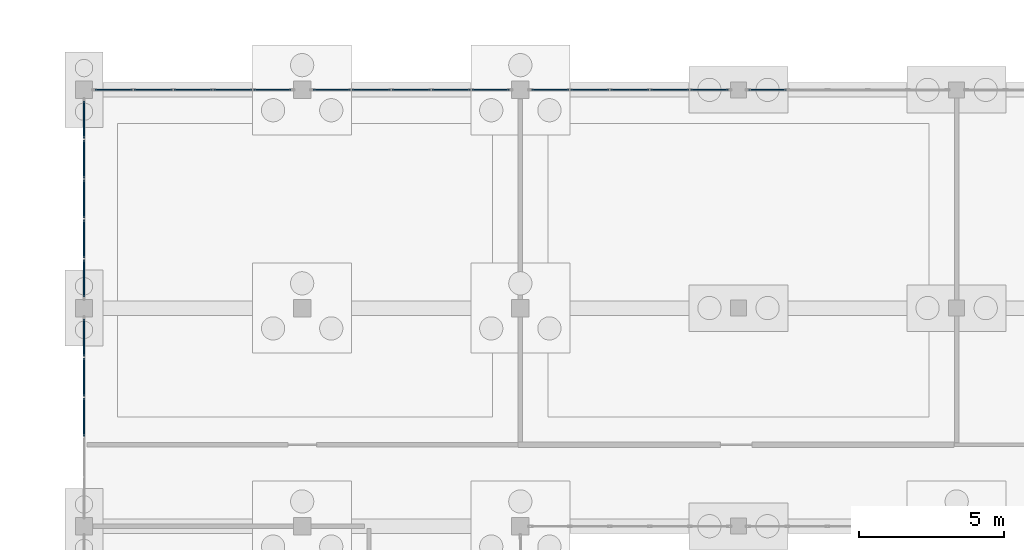
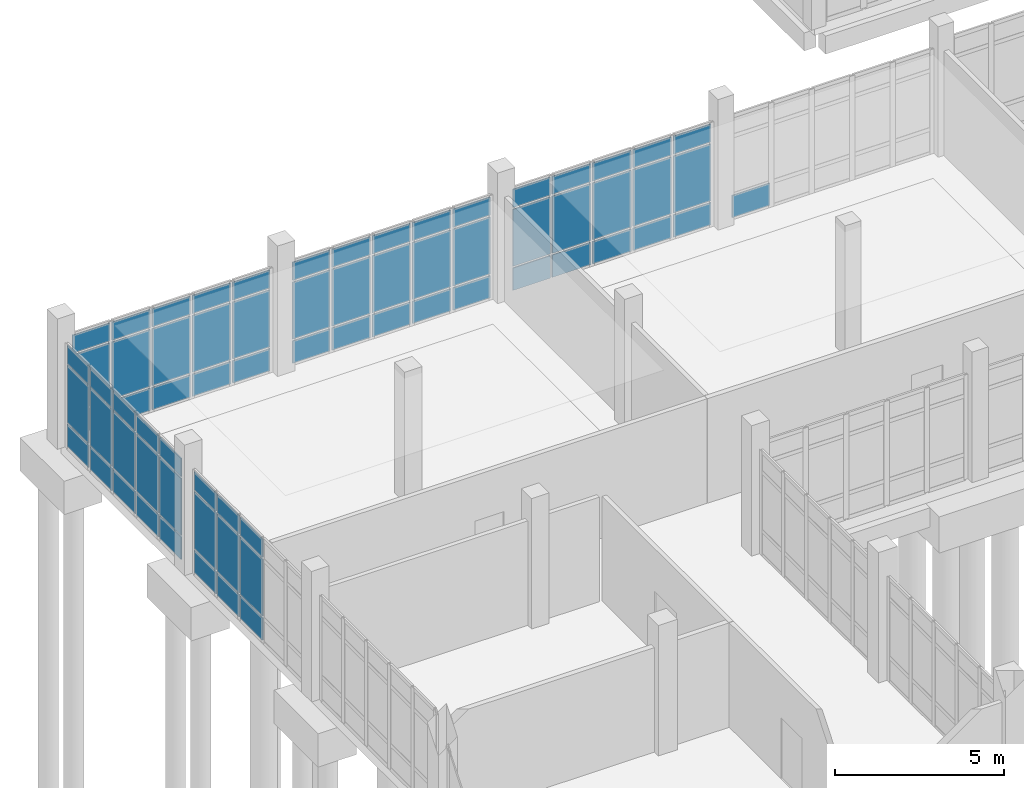
# One storey, part 133 of 173: 70 plates, 6 elements without a shape of their own.
"""IFC4 building model written with IfcOpenShell, lengths in metres."""

import ifcopenshell
import ifcopenshell.guid

model = None  # the IFC model being written
_history = None  # IfcOwnerHistory: only IFC2X3 demands one
_inside = {}  # id of a spatial element -> (the spatial element, [elements in it])
_under = {}  # id of a project, library or spatial element -> (it, [spatial elements below it])
_declared = {}  # id of a project -> (the project, [libraries it declares])
_typed = {}  # id of a type object -> (the type object, [elements of that type])
_made_of = {}  # id of a material, layer set ... -> (it, [elements and type objects made of it])


def new_model(schema):
    """Start an empty IFC model of exactly this schema.

    Asked for "IFC4X3", IfcOpenShell would pick the latest addendum, in which some entities
    have other attributes; the version numbers below select the first issue.
    IFC2X3 requires an IfcOwnerHistory on every rooted entity: one is made here for all.
    """
    global model, _history
    if schema == "IFC4X3":
        model = ifcopenshell.file(schema_version=(4, 3, 0, 0))
    else:
        model = ifcopenshell.file(schema=schema)
    _inside.clear()
    _under.clear()
    _declared.clear()
    _typed.clear()
    _made_of.clear()
    _history = None
    if model.schema == "IFC2X3":
        org = make("IfcOrganization", Name="unknown")
        user = make(
            "IfcPersonAndOrganization",
            ThePerson=make("IfcPerson", FamilyName="unknown"),
            TheOrganization=org,
        )
        app = make(
            "IfcApplication",
            ApplicationDeveloper=org,
            Version="unknown",
            ApplicationFullName="unknown",
            ApplicationIdentifier="unknown",
        )
        _history = make(
            "IfcOwnerHistory",
            OwningUser=user,
            OwningApplication=app,
            ChangeAction="ADDED",
            CreationDate=0,
        )
    return model


def make(cls, **values):
    """One entity of the class cls with the attributes given. An attribute that is None is left unset."""
    return model.create_entity(
        cls, **{name: value for name, value in values.items() if value is not None}
    )


def rooted(cls, **values):
    """An entity with a GlobalId (a new one), such as an element, a storey or a relation."""
    return make(cls, GlobalId=ifcopenshell.guid.new(), OwnerHistory=_history, **values)


def si_unit(unit_type, name, prefix=None):
    """IfcSIUnit, for example si_unit("LENGTHUNIT", "METRE", prefix="MILLI")."""
    return make("IfcSIUnit", UnitType=unit_type, Prefix=prefix, Name=name)


def assignment(units):
    """IfcUnitAssignment: the units of a project."""
    return None if units is None else make("IfcUnitAssignment", Units=units)


def point(xyz):
    """IfcCartesianPoint."""
    return None if xyz is None else make("IfcCartesianPoint", Coordinates=xyz)


def direction(xyz):
    """IfcDirection."""
    return None if xyz is None else make("IfcDirection", DirectionRatios=xyz)


def frame(location, z_axis=None, x_axis=None):
    """IfcAxis2Placement3D, a coordinate frame: its origin and axes. An axis left out is left unset."""
    return make(
        "IfcAxis2Placement3D",
        Location=point(location),
        Axis=direction(z_axis),
        RefDirection=direction(x_axis),
    )


def frame_2d(location, x_axis=None):
    """IfcAxis2Placement2D, a coordinate frame in the plane: its origin and x axis."""
    return make(
        "IfcAxis2Placement2D", Location=point(location), RefDirection=direction(x_axis)
    )


def origin():
    """The frame at (0, 0, 0) with its axes left unset."""
    return frame((0.0, 0.0, 0.0))


def origin_2d():
    """The frame at (0, 0) in the plane with its x axis left unset."""
    return frame_2d((0.0, 0.0))


def place(relative_to, where):
    """IfcLocalPlacement: puts the frame where relative to a parent placement (None: the world)."""
    return make(
        "IfcLocalPlacement", PlacementRelTo=relative_to, RelativePlacement=where
    )


def context(
    kind, dimensions, precision=None, world=None, true_north=None, identifier=None
):
    """IfcGeometricRepresentationContext, for example the 3D "Model" context."""
    return make(
        "IfcGeometricRepresentationContext",
        ContextIdentifier=identifier,
        ContextType=kind,
        CoordinateSpaceDimension=dimensions,
        Precision=precision,
        WorldCoordinateSystem=world,
        TrueNorth=true_north,
    )


def subcontext(parent, identifier, kind, view, scale=None):
    """IfcGeometricRepresentationSubContext, for example "Body" below "Model"."""
    return make(
        "IfcGeometricRepresentationSubContext",
        ContextIdentifier=identifier,
        ContextType=kind,
        ParentContext=parent,
        TargetScale=scale,
        TargetView=view,
    )


def project(units=None, contexts=None):
    """IfcProject with its units and contexts."""
    return rooted(
        "IfcProject",
        Name="project",
        RepresentationContexts=contexts,
        UnitsInContext=assignment(units),
    )


def spatial(cls, under=None, at=None, **own):
    """A site, building, storey or space (cls), placed at a placement, below another one or the project."""
    s = rooted(cls, ObjectPlacement=at, **own)
    if under is not None:
        _under.setdefault(under.id(), (under, []))[1].append(s)
    return s


def profile(cls, at=None, kind="AREA", **sizes):
    """A parametric profile (cls). Its sizes go by their IFC names, for example OverallWidth=200.0."""
    return make(cls, ProfileType=kind, Position=at, **sizes)


def rectangle(**sizes):
    """IfcRectangleProfileDef."""
    return profile("IfcRectangleProfileDef", **sizes)


def extrude(swept, where, along, depth):
    """IfcExtrudedAreaSolid: the profile swept, set in the frame where, extruded along a direction by depth."""
    return make(
        "IfcExtrudedAreaSolid",
        SweptArea=swept,
        Position=where,
        ExtrudedDirection=direction(along),
        Depth=depth,
    )


def shape(context_of_items, identifier, shape_type, items):
    """IfcShapeRepresentation: the items that make up one representation, for example the "Body"."""
    return make(
        "IfcShapeRepresentation",
        ContextOfItems=context_of_items,
        RepresentationIdentifier=identifier,
        RepresentationType=shape_type,
        Items=items,
    )


def material(Name=None, Category=None):
    """IfcMaterial."""
    return make("IfcMaterial", Name=Name, Category=Category)


def layer(
    of_material, thickness, ventilated=None, Name=None, Category=None, Priority=None
):
    """IfcMaterialLayer: one layer of a wall or slab, of a material (None: an air gap)."""
    return make(
        "IfcMaterialLayer",
        Material=of_material,
        LayerThickness=thickness,
        IsVentilated=ventilated,
        Name=Name,
        Category=Category,
        Priority=Priority,
    )


def layer_set(layers, Name=None):
    """IfcMaterialLayerSet."""
    return make("IfcMaterialLayerSet", MaterialLayers=layers, LayerSetName=Name)


def made_of(thing, what):
    """Note that an element or type object is made of a material, layer set ...; save() writes the relation."""
    if what is not None:
        _made_of.setdefault(what.id(), (what, []))[1].append(thing)
    return thing


def type_object(cls, material=None, **own):
    """A type object (cls), such as IfcWallType, which elements share."""
    return made_of(rooted(cls, **own), material)


def element(
    cls,
    number,
    at=None,
    inside=None,
    cuts=None,
    type_object=None,
    material=None,
    context=None,
    identifier="Body",
    shape_type=None,
    held_by="IfcProductDefinitionShape",
    body=None,
    shapes=None,
    **own,
):
    """One element of the class cls, such as IfcWall. Its Tag is "e" and its number.

    at: its placement. inside: the storey or other place that contains it. cuts: it is an
    opening in that element (IfcRelVoidsElement). A single representation is given by context,
    identifier, shape_type and body (its items); several are given by shapes. held_by: the class
    of the entity that holds the representations. save() writes the other relations.
    """
    e = rooted(cls, Tag="e%d" % number, ObjectPlacement=at, **own)
    if body is not None:
        shapes = [shape(context, identifier, shape_type, body)]
    if shapes is not None:
        e.Representation = make(held_by, Representations=shapes)
    if inside is not None:
        _inside.setdefault(inside.id(), (inside, []))[1].append(e)
    if cuts is not None:
        rooted(
            "IfcRelVoidsElement", RelatingBuildingElement=cuts, RelatedOpeningElement=e
        )
    if type_object is not None:
        _typed.setdefault(type_object.id(), (type_object, []))[1].append(e)
    return made_of(e, material)


def aggregate(whole, parts):
    """IfcRelAggregates: a whole, such as a stair, and the parts it consists of."""
    return rooted("IfcRelAggregates", RelatingObject=whole, RelatedObjects=parts)


def save(model, path):
    """Write the relations noted so far, then the file.

    IfcRelAggregates (storeys below a building ...), IfcRelContainedInSpatialStructure (elements
    in a storey), IfcRelDefinesByType, IfcRelAssociatesMaterial and IfcRelDeclares: one each for
    every whole, place, type object, material and project.
    """
    for whole, parts in _under.values():
        aggregate(whole, parts)
    for where, things in _inside.values():
        rooted(
            "IfcRelContainedInSpatialStructure",
            RelatedElements=things,
            RelatingStructure=where,
        )
    for kind, things in _typed.values():
        rooted("IfcRelDefinesByType", RelatedObjects=things, RelatingType=kind)
    for what, things in _made_of.values():
        rooted("IfcRelAssociatesMaterial", RelatedObjects=things, RelatingMaterial=what)
    for by, libraries in _declared.values():
        rooted("IfcRelDeclares", RelatingContext=by, RelatedDefinitions=libraries)
    model.write(path)


model = new_model("IFC4")

# Units and contexts
model_context = context("Model", 3, precision=1e-05, world=origin(), true_north=direction((0.0, 1.0)))
body_context = subcontext(model_context, "Body", "Model", "MODEL_VIEW")
ifc_project = project(units=[si_unit("LENGTHUNIT", "METRE"), si_unit("AREAUNIT", "SQUARE_METRE"), si_unit("VOLUMEUNIT", "CUBIC_METRE"), si_unit("PLANEANGLEUNIT", "RADIAN"), si_unit("MASSUNIT", "GRAM", prefix="KILO")], contexts=[model_context])

# Site, building, storey
site_placement = place(None, origin())
site = spatial("IfcSite", under=ifc_project, at=site_placement, CompositionType="ELEMENT")
building_placement = place(site_placement, origin())
building = spatial("IfcBuilding", under=site, at=building_placement, Name="Mawjan Specialist Oncology Clinic", CompositionType="ELEMENT")
storey_placement = place(building_placement, origin())
storey = spatial("IfcBuildingStorey", under=building, at=storey_placement, Name="L00", CompositionType="ELEMENT", Elevation=0.0)

# Curtain wall, plates
ifc_material_1 = material(Name="Unitised spectrally selective aluminium curtain wall", Category="aluminium")
ifc_layer_1 = layer(ifc_material_1, 0.179931640625, Name="Unitised spectrally selective aluminium curtain wall", Category="aluminium")
ifc_layer_set_1 = layer_set([ifc_layer_1], Name="Unitised spectrally selective aluminium curtain wall")
curtain_wall_type_1 = type_object("IfcCurtainWallType", Name="CW-05", PredefinedType="NOTDEFINED", material=ifc_layer_set_1)
curtain_wall_1_placement = place(storey_placement, origin())
curtain_wall_1 = element("IfcCurtainWall", 1, at=curtain_wall_1_placement, inside=storey, type_object=curtain_wall_type_1, Name="L00 Unitised Curtain Wall CW-L00-007", PredefinedType="NOTDEFINED")
ifc_material_2 = material(Name="Spectrally selective double low-E glazing", Category="glass")
ifc_layer_2 = layer(ifc_material_2, 0.035888671875, Name="Spectrally selective double low-E glazing", Category="glass")
ifc_layer_set_2 = layer_set([ifc_layer_2], Name="Spectrally selective double low-E glazing")
plate_type = type_object("IfcPlateType", Name="CW-P36", PredefinedType="CURTAIN_PANEL", material=ifc_layer_set_2)
plate_1_placement = place(storey_placement, frame((0.0, 64.550048828125, 0.06494140625), z_axis=(0.0, 0.0, 1.0), x_axis=(0.0, 1.0, 0.0)))
plate_1 = element("IfcPlate", 2, at=plate_1_placement, type_object=plate_type, Name="CW-05 panel 3.1", PredefinedType="CURTAIN_PANEL", context=body_context, shape_type="SweptSolid", body=[
    extrude(rectangle(XDim=1.306884765625, YDim=0.035888671875, at=origin_2d()), origin(), (0.0, 0.0, 1.0), 0.802490234375),
])
plate_2_placement = place(storey_placement, frame((0.0, 64.550048828125, 0.9326171875), z_axis=(0.0, 0.0, 1.0), x_axis=(0.0, 1.0, 0.0)))
plate_2 = element("IfcPlate", 3, at=plate_2_placement, type_object=plate_type, Name="CW-05 panel 3.2", PredefinedType="CURTAIN_PANEL", context=body_context, shape_type="SweptSolid", body=[
    extrude(rectangle(XDim=1.306884765625, YDim=0.035888671875, at=origin_2d()), origin(), (0.0, 0.0, 1.0), 2.050048828125),
])
plate_3_placement = place(storey_placement, frame((0.0, 64.550048828125, 3.04736328125), z_axis=(0.0, 0.0, 1.0), x_axis=(0.0, 1.0, 0.0)))
plate_3 = element("IfcPlate", 4, at=plate_3_placement, type_object=plate_type, Name="CW-05 panel 3.3", PredefinedType="CURTAIN_PANEL", context=body_context, shape_type="SweptSolid", body=[
    extrude(rectangle(XDim=1.306884765625, YDim=0.035888671875, at=origin_2d()), origin(), (0.0, 0.0, 1.0), 0.652587890625),
])
plate_4_placement = place(storey_placement, frame((0.0, 65.922119140625, 0.06494140625), z_axis=(0.0, 0.0, 1.0), x_axis=(0.0, 1.0, 0.0)))
plate_4 = element("IfcPlate", 5, at=plate_4_placement, type_object=plate_type, Name="CW-05 panel 4.1", PredefinedType="CURTAIN_PANEL", context=body_context, shape_type="SweptSolid", body=[
    extrude(rectangle(XDim=1.306884765625, YDim=0.035888671875, at=origin_2d()), origin(), (0.0, 0.0, 1.0), 0.802490234375),
])
plate_5_placement = place(storey_placement, frame((0.0, 65.922119140625, 0.9326171875), z_axis=(0.0, 0.0, 1.0), x_axis=(0.0, 1.0, 0.0)))
plate_5 = element("IfcPlate", 6, at=plate_5_placement, type_object=plate_type, Name="CW-05 panel 4.2", PredefinedType="CURTAIN_PANEL", context=body_context, shape_type="SweptSolid", body=[
    extrude(rectangle(XDim=1.306884765625, YDim=0.035888671875, at=origin_2d()), origin(), (0.0, 0.0, 1.0), 2.050048828125),
])
plate_6_placement = place(storey_placement, frame((0.0, 65.922119140625, 3.04736328125), z_axis=(0.0, 0.0, 1.0), x_axis=(0.0, 1.0, 0.0)))
plate_6 = element("IfcPlate", 7, at=plate_6_placement, type_object=plate_type, Name="CW-05 panel 4.3", PredefinedType="CURTAIN_PANEL", context=body_context, shape_type="SweptSolid", body=[
    extrude(rectangle(XDim=1.306884765625, YDim=0.035888671875, at=origin_2d()), origin(), (0.0, 0.0, 1.0), 0.652587890625),
])
plate_7_placement = place(storey_placement, frame((0.0, 67.27783203125, 0.06494140625), z_axis=(0.0, 0.0, 1.0), x_axis=(0.0, 1.0, 0.0)))
plate_7 = element("IfcPlate", 8, at=plate_7_placement, type_object=plate_type, Name="CW-05 panel 5.1", PredefinedType="CURTAIN_PANEL", context=body_context, shape_type="SweptSolid", body=[
    extrude(rectangle(XDim=1.2744140625, YDim=0.035888671875, at=origin_2d()), origin(), (0.0, 0.0, 1.0), 0.802490234375),
])
plate_8_placement = place(storey_placement, frame((0.0, 67.27783203125, 0.9326171875), z_axis=(0.0, 0.0, 1.0), x_axis=(0.0, 1.0, 0.0)))
plate_8 = element("IfcPlate", 9, at=plate_8_placement, type_object=plate_type, Name="CW-05 panel 5.2", PredefinedType="CURTAIN_PANEL", context=body_context, shape_type="SweptSolid", body=[
    extrude(rectangle(XDim=1.2744140625, YDim=0.035888671875, at=origin_2d()), origin(), (0.0, 0.0, 1.0), 2.050048828125),
])
plate_9_placement = place(storey_placement, frame((0.0, 67.27783203125, 3.04736328125), z_axis=(0.0, 0.0, 1.0), x_axis=(0.0, 1.0, 0.0)))
plate_9 = element("IfcPlate", 10, at=plate_9_placement, type_object=plate_type, Name="CW-05 panel 5.3", PredefinedType="CURTAIN_PANEL", context=body_context, shape_type="SweptSolid", body=[
    extrude(rectangle(XDim=1.2744140625, YDim=0.035888671875, at=origin_2d()), origin(), (0.0, 0.0, 1.0), 0.652587890625),
])
aggregate(curtain_wall_1, [plate_1, plate_2, plate_3, plate_4, plate_5, plate_6, plate_7, plate_8, plate_9])

curtain_wall_2_placement = place(storey_placement, origin())
curtain_wall_2 = element("IfcCurtainWall", 11, at=curtain_wall_2_placement, inside=storey, type_object=curtain_wall_type_1, Name="L00 Unitised Curtain Wall CW-L00-008", PredefinedType="NOTDEFINED")
plate_10_placement = place(storey_placement, frame((0.0, 69.322265625, 0.06494140625), z_axis=(0.0, 0.0, 1.0), x_axis=(0.0, 1.0, 0.0)))
plate_10 = element("IfcPlate", 12, at=plate_10_placement, type_object=plate_type, Name="CW-05 panel 1.1", PredefinedType="CURTAIN_PANEL", context=body_context, shape_type="SweptSolid", body=[
    extrude(rectangle(XDim=1.2744140625, YDim=0.035888671875, at=origin_2d()), origin(), (0.0, 0.0, 1.0), 0.802490234375),
])
plate_11_placement = place(storey_placement, frame((0.0, 69.322265625, 0.9326171875), z_axis=(0.0, 0.0, 1.0), x_axis=(0.0, 1.0, 0.0)))
plate_11 = element("IfcPlate", 13, at=plate_11_placement, type_object=plate_type, Name="CW-05 panel 1.2", PredefinedType="CURTAIN_PANEL", context=body_context, shape_type="SweptSolid", body=[
    extrude(rectangle(XDim=1.2744140625, YDim=0.035888671875, at=origin_2d()), origin(), (0.0, 0.0, 1.0), 2.050048828125),
])
plate_12_placement = place(storey_placement, frame((0.0, 69.322265625, 3.04736328125), z_axis=(0.0, 0.0, 1.0), x_axis=(0.0, 1.0, 0.0)))
plate_12 = element("IfcPlate", 14, at=plate_12_placement, type_object=plate_type, Name="CW-05 panel 1.3", PredefinedType="CURTAIN_PANEL", context=body_context, shape_type="SweptSolid", body=[
    extrude(rectangle(XDim=1.2744140625, YDim=0.035888671875, at=origin_2d()), origin(), (0.0, 0.0, 1.0), 0.652587890625),
])
plate_13_placement = place(storey_placement, frame((0.0, 70.677978515625, 0.06494140625), z_axis=(0.0, 0.0, 1.0), x_axis=(0.0, 1.0, 0.0)))
plate_13 = element("IfcPlate", 15, at=plate_13_placement, type_object=plate_type, Name="CW-05 panel 2.1", PredefinedType="CURTAIN_PANEL", context=body_context, shape_type="SweptSolid", body=[
    extrude(rectangle(XDim=1.306884765625, YDim=0.035888671875, at=origin_2d()), origin(), (0.0, 0.0, 1.0), 0.802490234375),
])
plate_14_placement = place(storey_placement, frame((0.0, 70.677978515625, 0.9326171875), z_axis=(0.0, 0.0, 1.0), x_axis=(0.0, 1.0, 0.0)))
plate_14 = element("IfcPlate", 16, at=plate_14_placement, type_object=plate_type, Name="CW-05 panel 2.2", PredefinedType="CURTAIN_PANEL", context=body_context, shape_type="SweptSolid", body=[
    extrude(rectangle(XDim=1.306884765625, YDim=0.035888671875, at=origin_2d()), origin(), (0.0, 0.0, 1.0), 2.050048828125),
])
plate_15_placement = place(storey_placement, frame((0.0, 70.677978515625, 3.04736328125), z_axis=(0.0, 0.0, 1.0), x_axis=(0.0, 1.0, 0.0)))
plate_15 = element("IfcPlate", 17, at=plate_15_placement, type_object=plate_type, Name="CW-05 panel 2.3", PredefinedType="CURTAIN_PANEL", context=body_context, shape_type="SweptSolid", body=[
    extrude(rectangle(XDim=1.306884765625, YDim=0.035888671875, at=origin_2d()), origin(), (0.0, 0.0, 1.0), 0.652587890625),
])
plate_16_placement = place(storey_placement, frame((0.0, 72.050048828125, 0.06494140625), z_axis=(0.0, 0.0, 1.0), x_axis=(0.0, 1.0, 0.0)))
plate_16 = element("IfcPlate", 18, at=plate_16_placement, type_object=plate_type, Name="CW-05 panel 3.1", PredefinedType="CURTAIN_PANEL", context=body_context, shape_type="SweptSolid", body=[
    extrude(rectangle(XDim=1.306884765625, YDim=0.035888671875, at=origin_2d()), origin(), (0.0, 0.0, 1.0), 0.802490234375),
])
plate_17_placement = place(storey_placement, frame((0.0, 72.050048828125, 0.9326171875), z_axis=(0.0, 0.0, 1.0), x_axis=(0.0, 1.0, 0.0)))
plate_17 = element("IfcPlate", 19, at=plate_17_placement, type_object=plate_type, Name="CW-05 panel 3.2", PredefinedType="CURTAIN_PANEL", context=body_context, shape_type="SweptSolid", body=[
    extrude(rectangle(XDim=1.306884765625, YDim=0.035888671875, at=origin_2d()), origin(), (0.0, 0.0, 1.0), 2.050048828125),
])
plate_18_placement = place(storey_placement, frame((0.0, 72.050048828125, 3.04736328125), z_axis=(0.0, 0.0, 1.0), x_axis=(0.0, 1.0, 0.0)))
plate_18 = element("IfcPlate", 20, at=plate_18_placement, type_object=plate_type, Name="CW-05 panel 3.3", PredefinedType="CURTAIN_PANEL", context=body_context, shape_type="SweptSolid", body=[
    extrude(rectangle(XDim=1.306884765625, YDim=0.035888671875, at=origin_2d()), origin(), (0.0, 0.0, 1.0), 0.652587890625),
])
plate_19_placement = place(storey_placement, frame((0.0, 73.422119140625, 0.06494140625), z_axis=(0.0, 0.0, 1.0), x_axis=(0.0, 1.0, 0.0)))
plate_19 = element("IfcPlate", 21, at=plate_19_placement, type_object=plate_type, Name="CW-05 panel 4.1", PredefinedType="CURTAIN_PANEL", context=body_context, shape_type="SweptSolid", body=[
    extrude(rectangle(XDim=1.306884765625, YDim=0.035888671875, at=origin_2d()), origin(), (0.0, 0.0, 1.0), 0.802490234375),
])
plate_20_placement = place(storey_placement, frame((0.0, 73.422119140625, 0.9326171875), z_axis=(0.0, 0.0, 1.0), x_axis=(0.0, 1.0, 0.0)))
plate_20 = element("IfcPlate", 22, at=plate_20_placement, type_object=plate_type, Name="CW-05 panel 4.2", PredefinedType="CURTAIN_PANEL", context=body_context, shape_type="SweptSolid", body=[
    extrude(rectangle(XDim=1.306884765625, YDim=0.035888671875, at=origin_2d()), origin(), (0.0, 0.0, 1.0), 2.050048828125),
])
plate_21_placement = place(storey_placement, frame((0.0, 73.422119140625, 3.04736328125), z_axis=(0.0, 0.0, 1.0), x_axis=(0.0, 1.0, 0.0)))
plate_21 = element("IfcPlate", 23, at=plate_21_placement, type_object=plate_type, Name="CW-05 panel 4.3", PredefinedType="CURTAIN_PANEL", context=body_context, shape_type="SweptSolid", body=[
    extrude(rectangle(XDim=1.306884765625, YDim=0.035888671875, at=origin_2d()), origin(), (0.0, 0.0, 1.0), 0.652587890625),
])
plate_22_placement = place(storey_placement, frame((0.0, 74.77783203125, 0.06494140625), z_axis=(0.0, 0.0, 1.0), x_axis=(0.0, 1.0, 0.0)))
plate_22 = element("IfcPlate", 24, at=plate_22_placement, type_object=plate_type, Name="CW-05 panel 5.1", PredefinedType="CURTAIN_PANEL", context=body_context, shape_type="SweptSolid", body=[
    extrude(rectangle(XDim=1.2744140625, YDim=0.035888671875, at=origin_2d()), origin(), (0.0, 0.0, 1.0), 0.802490234375),
])
plate_23_placement = place(storey_placement, frame((0.0, 74.77783203125, 0.9326171875), z_axis=(0.0, 0.0, 1.0), x_axis=(0.0, 1.0, 0.0)))
plate_23 = element("IfcPlate", 25, at=plate_23_placement, type_object=plate_type, Name="CW-05 panel 5.2", PredefinedType="CURTAIN_PANEL", context=body_context, shape_type="SweptSolid", body=[
    extrude(rectangle(XDim=1.2744140625, YDim=0.035888671875, at=origin_2d()), origin(), (0.0, 0.0, 1.0), 2.050048828125),
])
plate_24_placement = place(storey_placement, frame((0.0, 74.77783203125, 3.04736328125), z_axis=(0.0, 0.0, 1.0), x_axis=(0.0, 1.0, 0.0)))
plate_24 = element("IfcPlate", 26, at=plate_24_placement, type_object=plate_type, Name="CW-05 panel 5.3", PredefinedType="CURTAIN_PANEL", context=body_context, shape_type="SweptSolid", body=[
    extrude(rectangle(XDim=1.2744140625, YDim=0.035888671875, at=origin_2d()), origin(), (0.0, 0.0, 1.0), 0.652587890625),
])
aggregate(curtain_wall_2, [plate_10, plate_11, plate_12, plate_13, plate_14, plate_15, plate_16, plate_17, plate_18, plate_19, plate_20, plate_21, plate_22, plate_23, plate_24])

curtain_wall_3_placement = place(storey_placement, origin())
curtain_wall_3 = element("IfcCurtainWall", 27, at=curtain_wall_3_placement, inside=storey, type_object=curtain_wall_type_1, Name="L00 Unitised Curtain Wall CW-L00-009", PredefinedType="NOTDEFINED")
plate_25_placement = place(storey_placement, frame((1.022216796875, 75.800048828125, 0.06494140625), z_axis=(0.0, 0.0, 1.0), x_axis=(1.0, 0.0, 0.0)))
plate_25 = element("IfcPlate", 28, at=plate_25_placement, type_object=plate_type, Name="CW-05 panel 1.1", PredefinedType="CURTAIN_PANEL", context=body_context, shape_type="SweptSolid", body=[
    extrude(rectangle(XDim=1.2744140625, YDim=0.035888671875, at=origin_2d()), origin(), (0.0, 0.0, 1.0), 0.802490234375),
])
plate_26_placement = place(storey_placement, frame((1.022216796875, 75.800048828125, 0.9326171875), z_axis=(0.0, 0.0, 1.0), x_axis=(1.0, 0.0, 0.0)))
plate_26 = element("IfcPlate", 29, at=plate_26_placement, type_object=plate_type, Name="CW-05 panel 1.2", PredefinedType="CURTAIN_PANEL", context=body_context, shape_type="SweptSolid", body=[
    extrude(rectangle(XDim=1.2744140625, YDim=0.035888671875, at=origin_2d()), origin(), (0.0, 0.0, 1.0), 2.050048828125),
])
plate_27_placement = place(storey_placement, frame((1.022216796875, 75.800048828125, 3.04736328125), z_axis=(0.0, 0.0, 1.0), x_axis=(1.0, 0.0, 0.0)))
plate_27 = element("IfcPlate", 30, at=plate_27_placement, type_object=plate_type, Name="CW-05 panel 1.3", PredefinedType="CURTAIN_PANEL", context=body_context, shape_type="SweptSolid", body=[
    extrude(rectangle(XDim=1.2744140625, YDim=0.035888671875, at=origin_2d()), origin(), (0.0, 0.0, 1.0), 0.652587890625),
])
plate_28_placement = place(storey_placement, frame((2.3779296875, 75.800048828125, 0.06494140625), z_axis=(0.0, 0.0, 1.0), x_axis=(1.0, 0.0, 0.0)))
plate_28 = element("IfcPlate", 31, at=plate_28_placement, type_object=plate_type, Name="CW-05 panel 2.1", PredefinedType="CURTAIN_PANEL", context=body_context, shape_type="SweptSolid", body=[
    extrude(rectangle(XDim=1.306884765625, YDim=0.035888671875, at=origin_2d()), origin(), (0.0, 0.0, 1.0), 0.802490234375),
])
plate_29_placement = place(storey_placement, frame((2.3779296875, 75.800048828125, 0.9326171875), z_axis=(0.0, 0.0, 1.0), x_axis=(1.0, 0.0, 0.0)))
plate_29 = element("IfcPlate", 32, at=plate_29_placement, type_object=plate_type, Name="CW-05 panel 2.2", PredefinedType="CURTAIN_PANEL", context=body_context, shape_type="SweptSolid", body=[
    extrude(rectangle(XDim=1.306884765625, YDim=0.035888671875, at=origin_2d()), origin(), (0.0, 0.0, 1.0), 2.050048828125),
])
plate_30_placement = place(storey_placement, frame((2.3779296875, 75.800048828125, 3.04736328125), z_axis=(0.0, 0.0, 1.0), x_axis=(1.0, 0.0, 0.0)))
plate_30 = element("IfcPlate", 33, at=plate_30_placement, type_object=plate_type, Name="CW-05 panel 2.3", PredefinedType="CURTAIN_PANEL", context=body_context, shape_type="SweptSolid", body=[
    extrude(rectangle(XDim=1.306884765625, YDim=0.035888671875, at=origin_2d()), origin(), (0.0, 0.0, 1.0), 0.652587890625),
])
plate_31_placement = place(storey_placement, frame((3.75, 75.800048828125, 0.06494140625), z_axis=(0.0, 0.0, 1.0), x_axis=(1.0, 0.0, 0.0)))
plate_31 = element("IfcPlate", 34, at=plate_31_placement, type_object=plate_type, Name="CW-05 panel 3.1", PredefinedType="CURTAIN_PANEL", context=body_context, shape_type="SweptSolid", body=[
    extrude(rectangle(XDim=1.306884765625, YDim=0.035888671875, at=origin_2d()), origin(), (0.0, 0.0, 1.0), 0.802490234375),
])
plate_32_placement = place(storey_placement, frame((3.75, 75.800048828125, 0.9326171875), z_axis=(0.0, 0.0, 1.0), x_axis=(1.0, 0.0, 0.0)))
plate_32 = element("IfcPlate", 35, at=plate_32_placement, type_object=plate_type, Name="CW-05 panel 3.2", PredefinedType="CURTAIN_PANEL", context=body_context, shape_type="SweptSolid", body=[
    extrude(rectangle(XDim=1.306884765625, YDim=0.035888671875, at=origin_2d()), origin(), (0.0, 0.0, 1.0), 2.050048828125),
])
plate_33_placement = place(storey_placement, frame((3.75, 75.800048828125, 3.04736328125), z_axis=(0.0, 0.0, 1.0), x_axis=(1.0, 0.0, 0.0)))
plate_33 = element("IfcPlate", 36, at=plate_33_placement, type_object=plate_type, Name="CW-05 panel 3.3", PredefinedType="CURTAIN_PANEL", context=body_context, shape_type="SweptSolid", body=[
    extrude(rectangle(XDim=1.306884765625, YDim=0.035888671875, at=origin_2d()), origin(), (0.0, 0.0, 1.0), 0.652587890625),
])
plate_34_placement = place(storey_placement, frame((5.1220703125, 75.800048828125, 0.06494140625), z_axis=(0.0, 0.0, 1.0), x_axis=(1.0, 0.0, 0.0)))
plate_34 = element("IfcPlate", 37, at=plate_34_placement, type_object=plate_type, Name="CW-05 panel 4.1", PredefinedType="CURTAIN_PANEL", context=body_context, shape_type="SweptSolid", body=[
    extrude(rectangle(XDim=1.306884765625, YDim=0.035888671875, at=origin_2d()), origin(), (0.0, 0.0, 1.0), 0.802490234375),
])
plate_35_placement = place(storey_placement, frame((5.1220703125, 75.800048828125, 0.9326171875), z_axis=(0.0, 0.0, 1.0), x_axis=(1.0, 0.0, 0.0)))
plate_35 = element("IfcPlate", 38, at=plate_35_placement, type_object=plate_type, Name="CW-05 panel 4.2", PredefinedType="CURTAIN_PANEL", context=body_context, shape_type="SweptSolid", body=[
    extrude(rectangle(XDim=1.306884765625, YDim=0.035888671875, at=origin_2d()), origin(), (0.0, 0.0, 1.0), 2.050048828125),
])
plate_36_placement = place(storey_placement, frame((5.1220703125, 75.800048828125, 3.04736328125), z_axis=(0.0, 0.0, 1.0), x_axis=(1.0, 0.0, 0.0)))
plate_36 = element("IfcPlate", 39, at=plate_36_placement, type_object=plate_type, Name="CW-05 panel 4.3", PredefinedType="CURTAIN_PANEL", context=body_context, shape_type="SweptSolid", body=[
    extrude(rectangle(XDim=1.306884765625, YDim=0.035888671875, at=origin_2d()), origin(), (0.0, 0.0, 1.0), 0.652587890625),
])
plate_37_placement = place(storey_placement, frame((6.477783203125, 75.800048828125, 0.06494140625), z_axis=(0.0, 0.0, 1.0), x_axis=(1.0, 0.0, 0.0)))
plate_37 = element("IfcPlate", 40, at=plate_37_placement, type_object=plate_type, Name="CW-05 panel 5.1", PredefinedType="CURTAIN_PANEL", context=body_context, shape_type="SweptSolid", body=[
    extrude(rectangle(XDim=1.2744140625, YDim=0.035888671875, at=origin_2d()), origin(), (0.0, 0.0, 1.0), 0.802490234375),
])
plate_38_placement = place(storey_placement, frame((6.477783203125, 75.800048828125, 0.9326171875), z_axis=(0.0, 0.0, 1.0), x_axis=(1.0, 0.0, 0.0)))
plate_38 = element("IfcPlate", 41, at=plate_38_placement, type_object=plate_type, Name="CW-05 panel 5.2", PredefinedType="CURTAIN_PANEL", context=body_context, shape_type="SweptSolid", body=[
    extrude(rectangle(XDim=1.2744140625, YDim=0.035888671875, at=origin_2d()), origin(), (0.0, 0.0, 1.0), 2.050048828125),
])
plate_39_placement = place(storey_placement, frame((6.477783203125, 75.800048828125, 3.04736328125), z_axis=(0.0, 0.0, 1.0), x_axis=(1.0, 0.0, 0.0)))
plate_39 = element("IfcPlate", 42, at=plate_39_placement, type_object=plate_type, Name="CW-05 panel 5.3", PredefinedType="CURTAIN_PANEL", context=body_context, shape_type="SweptSolid", body=[
    extrude(rectangle(XDim=1.2744140625, YDim=0.035888671875, at=origin_2d()), origin(), (0.0, 0.0, 1.0), 0.652587890625),
])
aggregate(curtain_wall_3, [plate_25, plate_26, plate_27, plate_28, plate_29, plate_30, plate_31, plate_32, plate_33, plate_34, plate_35, plate_36, plate_37, plate_38, plate_39])

curtain_wall_4_placement = place(storey_placement, origin())
curtain_wall_4 = element("IfcCurtainWall", 43, at=curtain_wall_4_placement, inside=storey, type_object=curtain_wall_type_1, Name="L00 Unitised Curtain Wall CW-L00-010", PredefinedType="NOTDEFINED")
plate_40_placement = place(storey_placement, frame((8.522216796875, 75.800048828125, 0.06494140625), z_axis=(0.0, 0.0, 1.0), x_axis=(1.0, 0.0, 0.0)))
plate_40 = element("IfcPlate", 44, at=plate_40_placement, type_object=plate_type, Name="CW-05 panel 1.1", PredefinedType="CURTAIN_PANEL", context=body_context, shape_type="SweptSolid", body=[
    extrude(rectangle(XDim=1.2744140625, YDim=0.035888671875, at=origin_2d()), origin(), (0.0, 0.0, 1.0), 0.802490234375),
])
plate_41_placement = place(storey_placement, frame((8.522216796875, 75.800048828125, 0.9326171875), z_axis=(0.0, 0.0, 1.0), x_axis=(1.0, 0.0, 0.0)))
plate_41 = element("IfcPlate", 45, at=plate_41_placement, type_object=plate_type, Name="CW-05 panel 1.2", PredefinedType="CURTAIN_PANEL", context=body_context, shape_type="SweptSolid", body=[
    extrude(rectangle(XDim=1.2744140625, YDim=0.035888671875, at=origin_2d()), origin(), (0.0, 0.0, 1.0), 2.050048828125),
])
plate_42_placement = place(storey_placement, frame((8.522216796875, 75.800048828125, 3.04736328125), z_axis=(0.0, 0.0, 1.0), x_axis=(1.0, 0.0, 0.0)))
plate_42 = element("IfcPlate", 46, at=plate_42_placement, type_object=plate_type, Name="CW-05 panel 1.3", PredefinedType="CURTAIN_PANEL", context=body_context, shape_type="SweptSolid", body=[
    extrude(rectangle(XDim=1.2744140625, YDim=0.035888671875, at=origin_2d()), origin(), (0.0, 0.0, 1.0), 0.652587890625),
])
plate_43_placement = place(storey_placement, frame((9.8779296875, 75.800048828125, 0.06494140625), z_axis=(0.0, 0.0, 1.0), x_axis=(1.0, 0.0, 0.0)))
plate_43 = element("IfcPlate", 47, at=plate_43_placement, type_object=plate_type, Name="CW-05 panel 2.1", PredefinedType="CURTAIN_PANEL", context=body_context, shape_type="SweptSolid", body=[
    extrude(rectangle(XDim=1.306884765625, YDim=0.035888671875, at=origin_2d()), origin(), (0.0, 0.0, 1.0), 0.802490234375),
])
plate_44_placement = place(storey_placement, frame((9.8779296875, 75.800048828125, 0.9326171875), z_axis=(0.0, 0.0, 1.0), x_axis=(1.0, 0.0, 0.0)))
plate_44 = element("IfcPlate", 48, at=plate_44_placement, type_object=plate_type, Name="CW-05 panel 2.2", PredefinedType="CURTAIN_PANEL", context=body_context, shape_type="SweptSolid", body=[
    extrude(rectangle(XDim=1.306884765625, YDim=0.035888671875, at=origin_2d()), origin(), (0.0, 0.0, 1.0), 2.050048828125),
])
plate_45_placement = place(storey_placement, frame((9.8779296875, 75.800048828125, 3.04736328125), z_axis=(0.0, 0.0, 1.0), x_axis=(1.0, 0.0, 0.0)))
plate_45 = element("IfcPlate", 49, at=plate_45_placement, type_object=plate_type, Name="CW-05 panel 2.3", PredefinedType="CURTAIN_PANEL", context=body_context, shape_type="SweptSolid", body=[
    extrude(rectangle(XDim=1.306884765625, YDim=0.035888671875, at=origin_2d()), origin(), (0.0, 0.0, 1.0), 0.652587890625),
])
plate_46_placement = place(storey_placement, frame((11.25, 75.800048828125, 0.06494140625), z_axis=(0.0, 0.0, 1.0), x_axis=(1.0, 0.0, 0.0)))
plate_46 = element("IfcPlate", 50, at=plate_46_placement, type_object=plate_type, Name="CW-05 panel 3.1", PredefinedType="CURTAIN_PANEL", context=body_context, shape_type="SweptSolid", body=[
    extrude(rectangle(XDim=1.306884765625, YDim=0.035888671875, at=origin_2d()), origin(), (0.0, 0.0, 1.0), 0.802490234375),
])
plate_47_placement = place(storey_placement, frame((11.25, 75.800048828125, 0.9326171875), z_axis=(0.0, 0.0, 1.0), x_axis=(1.0, 0.0, 0.0)))
plate_47 = element("IfcPlate", 51, at=plate_47_placement, type_object=plate_type, Name="CW-05 panel 3.2", PredefinedType="CURTAIN_PANEL", context=body_context, shape_type="SweptSolid", body=[
    extrude(rectangle(XDim=1.306884765625, YDim=0.035888671875, at=origin_2d()), origin(), (0.0, 0.0, 1.0), 2.050048828125),
])
plate_48_placement = place(storey_placement, frame((11.25, 75.800048828125, 3.04736328125), z_axis=(0.0, 0.0, 1.0), x_axis=(1.0, 0.0, 0.0)))
plate_48 = element("IfcPlate", 52, at=plate_48_placement, type_object=plate_type, Name="CW-05 panel 3.3", PredefinedType="CURTAIN_PANEL", context=body_context, shape_type="SweptSolid", body=[
    extrude(rectangle(XDim=1.306884765625, YDim=0.035888671875, at=origin_2d()), origin(), (0.0, 0.0, 1.0), 0.652587890625),
])
plate_49_placement = place(storey_placement, frame((12.6220703125, 75.800048828125, 0.06494140625), z_axis=(0.0, 0.0, 1.0), x_axis=(1.0, 0.0, 0.0)))
plate_49 = element("IfcPlate", 53, at=plate_49_placement, type_object=plate_type, Name="CW-05 panel 4.1", PredefinedType="CURTAIN_PANEL", context=body_context, shape_type="SweptSolid", body=[
    extrude(rectangle(XDim=1.306884765625, YDim=0.035888671875, at=origin_2d()), origin(), (0.0, 0.0, 1.0), 0.802490234375),
])
plate_50_placement = place(storey_placement, frame((12.6220703125, 75.800048828125, 0.9326171875), z_axis=(0.0, 0.0, 1.0), x_axis=(1.0, 0.0, 0.0)))
plate_50 = element("IfcPlate", 54, at=plate_50_placement, type_object=plate_type, Name="CW-05 panel 4.2", PredefinedType="CURTAIN_PANEL", context=body_context, shape_type="SweptSolid", body=[
    extrude(rectangle(XDim=1.306884765625, YDim=0.035888671875, at=origin_2d()), origin(), (0.0, 0.0, 1.0), 2.050048828125),
])
plate_51_placement = place(storey_placement, frame((12.6220703125, 75.800048828125, 3.04736328125), z_axis=(0.0, 0.0, 1.0), x_axis=(1.0, 0.0, 0.0)))
plate_51 = element("IfcPlate", 55, at=plate_51_placement, type_object=plate_type, Name="CW-05 panel 4.3", PredefinedType="CURTAIN_PANEL", context=body_context, shape_type="SweptSolid", body=[
    extrude(rectangle(XDim=1.306884765625, YDim=0.035888671875, at=origin_2d()), origin(), (0.0, 0.0, 1.0), 0.652587890625),
])
plate_52_placement = place(storey_placement, frame((13.977783203125, 75.800048828125, 0.06494140625), z_axis=(0.0, 0.0, 1.0), x_axis=(1.0, 0.0, 0.0)))
plate_52 = element("IfcPlate", 56, at=plate_52_placement, type_object=plate_type, Name="CW-05 panel 5.1", PredefinedType="CURTAIN_PANEL", context=body_context, shape_type="SweptSolid", body=[
    extrude(rectangle(XDim=1.2744140625, YDim=0.035888671875, at=origin_2d()), origin(), (0.0, 0.0, 1.0), 0.802490234375),
])
plate_53_placement = place(storey_placement, frame((13.977783203125, 75.800048828125, 0.9326171875), z_axis=(0.0, 0.0, 1.0), x_axis=(1.0, 0.0, 0.0)))
plate_53 = element("IfcPlate", 57, at=plate_53_placement, type_object=plate_type, Name="CW-05 panel 5.2", PredefinedType="CURTAIN_PANEL", context=body_context, shape_type="SweptSolid", body=[
    extrude(rectangle(XDim=1.2744140625, YDim=0.035888671875, at=origin_2d()), origin(), (0.0, 0.0, 1.0), 2.050048828125),
])
plate_54_placement = place(storey_placement, frame((13.977783203125, 75.800048828125, 3.04736328125), z_axis=(0.0, 0.0, 1.0), x_axis=(1.0, 0.0, 0.0)))
plate_54 = element("IfcPlate", 58, at=plate_54_placement, type_object=plate_type, Name="CW-05 panel 5.3", PredefinedType="CURTAIN_PANEL", context=body_context, shape_type="SweptSolid", body=[
    extrude(rectangle(XDim=1.2744140625, YDim=0.035888671875, at=origin_2d()), origin(), (0.0, 0.0, 1.0), 0.652587890625),
])
aggregate(curtain_wall_4, [plate_40, plate_41, plate_42, plate_43, plate_44, plate_45, plate_46, plate_47, plate_48, plate_49, plate_50, plate_51, plate_52, plate_53, plate_54])

ifc_material_3 = material(Name="Unitised spectrally selective aluminium curtain wall", Category="aluminium")
ifc_layer_3 = layer(ifc_material_3, 0.179931640625, Name="Unitised spectrally selective aluminium curtain wall", Category="aluminium")
ifc_layer_set_3 = layer_set([ifc_layer_3], Name="Unitised spectrally selective aluminium curtain wall")
curtain_wall_type_2 = type_object("IfcCurtainWallType", Name="CW-06", PredefinedType="NOTDEFINED", material=ifc_layer_set_3)
curtain_wall_5_placement = place(storey_placement, origin())
curtain_wall_5 = element("IfcCurtainWall", 59, at=curtain_wall_5_placement, inside=storey, type_object=curtain_wall_type_2, Name="L00 Unitised Curtain Wall CW-L00-011", PredefinedType="NOTDEFINED")
plate_55_placement = place(storey_placement, frame((16.024658203125, 75.800048828125, 0.06494140625), z_axis=(0.0, 0.0, 1.0), x_axis=(1.0, 0.0, 0.0)))
plate_55 = element("IfcPlate", 60, at=plate_55_placement, type_object=plate_type, Name="CW-06 panel 1.1", PredefinedType="CURTAIN_PANEL", context=body_context, shape_type="SweptSolid", body=[
    extrude(rectangle(XDim=1.279541015625, YDim=0.035888671875, at=origin_2d()), origin(), (0.0, 0.0, 1.0), 0.802490234375),
])
plate_56_placement = place(storey_placement, frame((16.024658203125, 75.800048828125, 0.9326171875), z_axis=(0.0, 0.0, 1.0), x_axis=(1.0, 0.0, 0.0)))
plate_56 = element("IfcPlate", 61, at=plate_56_placement, type_object=plate_type, Name="CW-06 panel 1.2", PredefinedType="CURTAIN_PANEL", context=body_context, shape_type="SweptSolid", body=[
    extrude(rectangle(XDim=1.279541015625, YDim=0.035888671875, at=origin_2d()), origin(), (0.0, 0.0, 1.0), 2.050048828125),
])
plate_57_placement = place(storey_placement, frame((16.024658203125, 75.800048828125, 3.04736328125), z_axis=(0.0, 0.0, 1.0), x_axis=(1.0, 0.0, 0.0)))
plate_57 = element("IfcPlate", 62, at=plate_57_placement, type_object=plate_type, Name="CW-06 panel 1.3", PredefinedType="CURTAIN_PANEL", context=body_context, shape_type="SweptSolid", body=[
    extrude(rectangle(XDim=1.279541015625, YDim=0.035888671875, at=origin_2d()), origin(), (0.0, 0.0, 1.0), 0.652587890625),
])
plate_58_placement = place(storey_placement, frame((17.385498046875, 75.800048828125, 0.06494140625), z_axis=(0.0, 0.0, 1.0), x_axis=(1.0, 0.0, 0.0)))
plate_58 = element("IfcPlate", 63, at=plate_58_placement, type_object=plate_type, Name="CW-06 panel 2.1", PredefinedType="CURTAIN_PANEL", context=body_context, shape_type="SweptSolid", body=[
    extrude(rectangle(XDim=1.31201171875, YDim=0.035888671875, at=origin_2d()), origin(), (0.0, 0.0, 1.0), 0.802490234375),
])
plate_59_placement = place(storey_placement, frame((17.385498046875, 75.800048828125, 0.9326171875), z_axis=(0.0, 0.0, 1.0), x_axis=(1.0, 0.0, 0.0)))
plate_59 = element("IfcPlate", 64, at=plate_59_placement, type_object=plate_type, Name="CW-06 panel 2.2", PredefinedType="CURTAIN_PANEL", context=body_context, shape_type="SweptSolid", body=[
    extrude(rectangle(XDim=1.31201171875, YDim=0.035888671875, at=origin_2d()), origin(), (0.0, 0.0, 1.0), 2.050048828125),
])
plate_60_placement = place(storey_placement, frame((17.385498046875, 75.800048828125, 3.04736328125), z_axis=(0.0, 0.0, 1.0), x_axis=(1.0, 0.0, 0.0)))
plate_60 = element("IfcPlate", 65, at=plate_60_placement, type_object=plate_type, Name="CW-06 panel 2.3", PredefinedType="CURTAIN_PANEL", context=body_context, shape_type="SweptSolid", body=[
    extrude(rectangle(XDim=1.31201171875, YDim=0.035888671875, at=origin_2d()), origin(), (0.0, 0.0, 1.0), 0.652587890625),
])
plate_61_placement = place(storey_placement, frame((18.762451171875, 75.800048828125, 0.06494140625), z_axis=(0.0, 0.0, 1.0), x_axis=(1.0, 0.0, 0.0)))
plate_61 = element("IfcPlate", 66, at=plate_61_placement, type_object=plate_type, Name="CW-06 panel 3.1", PredefinedType="CURTAIN_PANEL", context=body_context, shape_type="SweptSolid", body=[
    extrude(rectangle(XDim=1.31201171875, YDim=0.035888671875, at=origin_2d()), origin(), (0.0, 0.0, 1.0), 0.802490234375),
])
plate_62_placement = place(storey_placement, frame((18.762451171875, 75.800048828125, 0.9326171875), z_axis=(0.0, 0.0, 1.0), x_axis=(1.0, 0.0, 0.0)))
plate_62 = element("IfcPlate", 67, at=plate_62_placement, type_object=plate_type, Name="CW-06 panel 3.2", PredefinedType="CURTAIN_PANEL", context=body_context, shape_type="SweptSolid", body=[
    extrude(rectangle(XDim=1.31201171875, YDim=0.035888671875, at=origin_2d()), origin(), (0.0, 0.0, 1.0), 2.050048828125),
])
plate_63_placement = place(storey_placement, frame((18.762451171875, 75.800048828125, 3.04736328125), z_axis=(0.0, 0.0, 1.0), x_axis=(1.0, 0.0, 0.0)))
plate_63 = element("IfcPlate", 68, at=plate_63_placement, type_object=plate_type, Name="CW-06 panel 3.3", PredefinedType="CURTAIN_PANEL", context=body_context, shape_type="SweptSolid", body=[
    extrude(rectangle(XDim=1.31201171875, YDim=0.035888671875, at=origin_2d()), origin(), (0.0, 0.0, 1.0), 0.652587890625),
])
plate_64_placement = place(storey_placement, frame((20.139404296875, 75.800048828125, 0.06494140625), z_axis=(0.0, 0.0, 1.0), x_axis=(1.0, 0.0, 0.0)))
plate_64 = element("IfcPlate", 69, at=plate_64_placement, type_object=plate_type, Name="CW-06 panel 4.1", PredefinedType="CURTAIN_PANEL", context=body_context, shape_type="SweptSolid", body=[
    extrude(rectangle(XDim=1.31201171875, YDim=0.035888671875, at=origin_2d()), origin(), (0.0, 0.0, 1.0), 0.802490234375),
])
plate_65_placement = place(storey_placement, frame((20.139404296875, 75.800048828125, 0.9326171875), z_axis=(0.0, 0.0, 1.0), x_axis=(1.0, 0.0, 0.0)))
plate_65 = element("IfcPlate", 70, at=plate_65_placement, type_object=plate_type, Name="CW-06 panel 4.2", PredefinedType="CURTAIN_PANEL", context=body_context, shape_type="SweptSolid", body=[
    extrude(rectangle(XDim=1.31201171875, YDim=0.035888671875, at=origin_2d()), origin(), (0.0, 0.0, 1.0), 2.050048828125),
])
plate_66_placement = place(storey_placement, frame((20.139404296875, 75.800048828125, 3.04736328125), z_axis=(0.0, 0.0, 1.0), x_axis=(1.0, 0.0, 0.0)))
plate_66 = element("IfcPlate", 71, at=plate_66_placement, type_object=plate_type, Name="CW-06 panel 4.3", PredefinedType="CURTAIN_PANEL", context=body_context, shape_type="SweptSolid", body=[
    extrude(rectangle(XDim=1.31201171875, YDim=0.035888671875, at=origin_2d()), origin(), (0.0, 0.0, 1.0), 0.652587890625),
])
plate_67_placement = place(storey_placement, frame((21.500244140625, 75.800048828125, 0.06494140625), z_axis=(0.0, 0.0, 1.0), x_axis=(1.0, 0.0, 0.0)))
plate_67 = element("IfcPlate", 72, at=plate_67_placement, type_object=plate_type, Name="CW-06 panel 5.1", PredefinedType="CURTAIN_PANEL", context=body_context, shape_type="SweptSolid", body=[
    extrude(rectangle(XDim=1.279541015625, YDim=0.035888671875, at=origin_2d()), origin(), (0.0, 0.0, 1.0), 0.802490234375),
])
plate_68_placement = place(storey_placement, frame((21.500244140625, 75.800048828125, 0.9326171875), z_axis=(0.0, 0.0, 1.0), x_axis=(1.0, 0.0, 0.0)))
plate_68 = element("IfcPlate", 73, at=plate_68_placement, type_object=plate_type, Name="CW-06 panel 5.2", PredefinedType="CURTAIN_PANEL", context=body_context, shape_type="SweptSolid", body=[
    extrude(rectangle(XDim=1.279541015625, YDim=0.035888671875, at=origin_2d()), origin(), (0.0, 0.0, 1.0), 2.050048828125),
])
plate_69_placement = place(storey_placement, frame((21.500244140625, 75.800048828125, 3.04736328125), z_axis=(0.0, 0.0, 1.0), x_axis=(1.0, 0.0, 0.0)))
plate_69 = element("IfcPlate", 74, at=plate_69_placement, type_object=plate_type, Name="CW-06 panel 5.3", PredefinedType="CURTAIN_PANEL", context=body_context, shape_type="SweptSolid", body=[
    extrude(rectangle(XDim=1.279541015625, YDim=0.035888671875, at=origin_2d()), origin(), (0.0, 0.0, 1.0), 0.652587890625),
])
aggregate(curtain_wall_5, [plate_55, plate_56, plate_57, plate_58, plate_59, plate_60, plate_61, plate_62, plate_63, plate_64, plate_65, plate_66, plate_67, plate_68, plate_69])

# Curtain wall, plate
ifc_material_4 = material(Name="Unitised spectrally selective aluminium curtain wall", Category="aluminium")
ifc_layer_4 = layer(ifc_material_4, 0.179931640625, Name="Unitised spectrally selective aluminium curtain wall", Category="aluminium")
ifc_layer_set_4 = layer_set([ifc_layer_4], Name="Unitised spectrally selective aluminium curtain wall")
curtain_wall_type_3 = type_object("IfcCurtainWallType", Name="CW-07", PredefinedType="NOTDEFINED", material=ifc_layer_set_4)
curtain_wall_6_placement = place(storey_placement, origin())
curtain_wall_6 = element("IfcCurtainWall", 75, at=curtain_wall_6_placement, inside=storey, type_object=curtain_wall_type_3, Name="L00 Unitised Curtain Wall CW-L00-012", PredefinedType="NOTDEFINED")
plate_70_placement = place(storey_placement, frame((23.502197265625, 75.800048828125, 0.06494140625), z_axis=(0.0, 0.0, 1.0), x_axis=(1.0, 0.0, 0.0)))
plate_70 = element("IfcPlate", 76, at=plate_70_placement, type_object=plate_type, Name="CW-07 panel 1.1", PredefinedType="CURTAIN_PANEL", context=body_context, shape_type="SweptSolid", body=[
    extrude(rectangle(XDim=1.284423828125, YDim=0.035888671875, at=origin_2d()), origin(), (0.0, 0.0, 1.0), 0.802490234375),
])
aggregate(curtain_wall_6, [plate_70])

save(model, "model.ifc")
